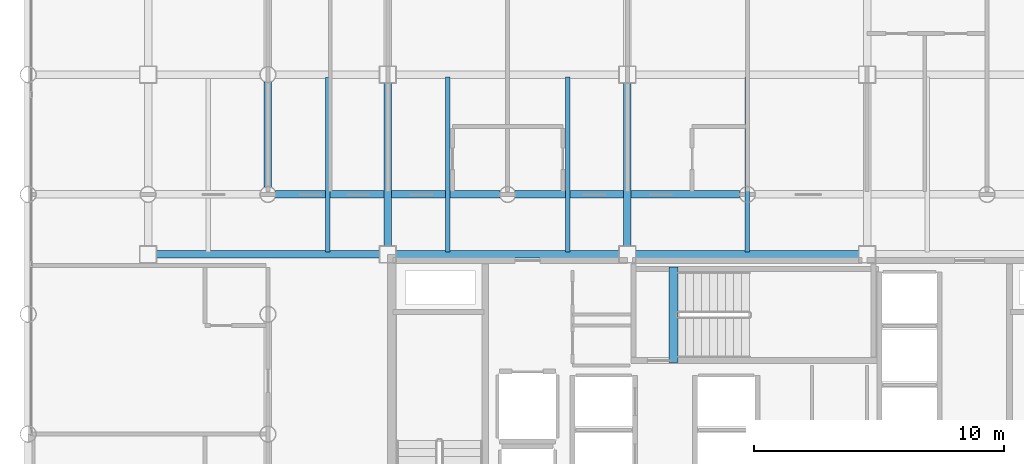
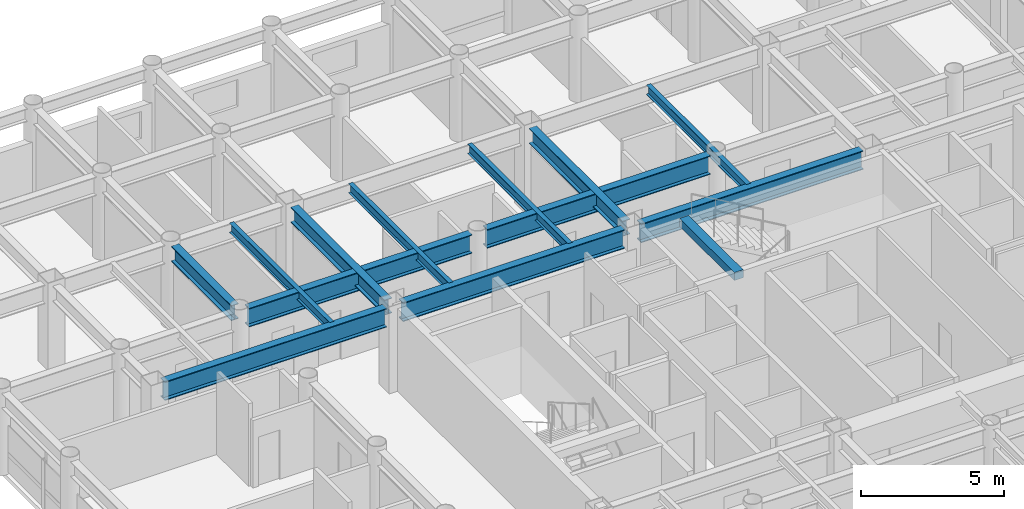
# One storey, part 5 of 22: 13 beams.
"""IFC4 building model written with IfcOpenShell, lengths in metres."""

from ifc_helpers import new_model, si_unit, direction, frame, origin, origin_2d, place, context, subcontext, project, spatial, rectangle, i_section, extrude, material, material_profile, profile_set, type_object, element, save


model = new_model("IFC4")

# Units and contexts
model_context = context("Model", 3, precision=1e-05, world=origin(), true_north=direction((0.0, 1.0)))
body_context = subcontext(model_context, "Body", "Model", "MODEL_VIEW")
ifc_project = project(units=[si_unit("LENGTHUNIT", "METRE"), si_unit("AREAUNIT", "SQUARE_METRE"), si_unit("VOLUMEUNIT", "CUBIC_METRE"), si_unit("PLANEANGLEUNIT", "RADIAN"), si_unit("MASSUNIT", "GRAM", prefix="KILO")], contexts=[model_context])

# Site, building, storey
site_placement = place(None, origin())
site = spatial("IfcSite", under=ifc_project, at=site_placement, CompositionType="ELEMENT")
building_placement = place(site_placement, origin())
building = spatial("IfcBuilding", under=site, at=building_placement, Name="Kallvorn Hotel Tower", CompositionType="ELEMENT")
storey_placement = place(building_placement, frame((0.0, 0.0, 106.300048828125)))
storey = spatial("IfcBuildingStorey", under=building, at=storey_placement, Name="L25", CompositionType="ELEMENT", Elevation=106.300048828125)

# Beams
ifc_material_1 = material(Name="Structural steel S355JR", Category="steel")
ifc_material_profile_1 = material_profile(ifc_material_1, i_section(OverallWidth=0.300048828125, OverallDepth=0.64990234375, WebThickness=0.01611328125, FlangeThickness=0.031005859375, at=origin_2d()), Name="HE 650 B")
ifc_profile_set_1 = profile_set([ifc_material_profile_1], Name="Structural steel S355JR")
beam_type_1 = type_object("IfcBeamType", Name="BM_HE650B", PredefinedType="BEAM", material=ifc_profile_set_1)
beam_1_placement = place(storey_placement, frame((-19.199951171875, 9.905029296875, 3.195068359375), z_axis=(0.0, 1.0, 0.0), x_axis=(-1.0, 0.0, 0.0)))
element("IfcBeam", 1, at=beam_1_placement, inside=storey, type_object=beam_type_1, Name="L26 Primary Y-Girder 94", PredefinedType="BEAM", context=body_context, shape_type="SweptSolid", body=[
    extrude(i_section(OverallWidth=0.300048828125, OverallDepth=0.64990234375, WebThickness=0.01611328125, FlangeThickness=0.031005859375, at=origin_2d()), origin(), (0.0, 0.0, 1.0), 4.18994140625),
])
for number, where, z_axis, x_axis, name in (
    (2, (-14.39990234375, 7.52490234375, 3.195068359375), (0.0, 1.0, 0.0), (-1.0, 0.0, 0.0), "L26 Primary Y-Girder 99"),
    (3, (-4.800048828125, 7.52490234375, 3.195068359375), (0.0, 1.0, 0.0), (-1.0, 0.0, 0.0), "L26 Primary Y-Girder 107"),
):
    element("IfcBeam", number, at=place(storey_placement, frame(where, z_axis=z_axis, x_axis=x_axis)), inside=storey, type_object=beam_type_1, Name=name, PredefinedType="BEAM", context=body_context, shape_type="SweptSolid", body=[
        extrude(i_section(OverallWidth=0.300048828125, OverallDepth=0.64990234375, WebThickness=0.01611328125, FlangeThickness=0.031005859375, at=origin_2d()), origin(), (0.0, 0.0, 1.0), 6.550048828125),
    ])
ifc_material_2 = material(Name="Structural steel S355JR", Category="steel")
ifc_material_profile_2 = material_profile(ifc_material_2, i_section(OverallWidth=0.300048828125, OverallDepth=0.800048828125, WebThickness=0.017578125, FlangeThickness=0.032958984375, at=origin_2d()), Name="HE 800 B")
ifc_profile_set_2 = profile_set([ifc_material_profile_2], Name="Structural steel S355JR")
beam_type_2 = type_object("IfcBeamType", Name="BM_HE800B", PredefinedType="BEAM", material=ifc_profile_set_2)
for number, where, z_axis, x_axis, name in (
    (4, (-23.675048828125, 7.199951171875, 3.119873046875), (1.0, 0.0, 0.0), (0.0, 1.0, 0.0), "L26 Primary X-Girder 36"),
    (5, (-14.074951171875, 7.199951171875, 3.119873046875), (1.0, 0.0, 0.0), (0.0, 1.0, 0.0), "L26 Primary X-Girder 37"),
):
    element("IfcBeam", number, at=place(storey_placement, frame(where, z_axis=z_axis, x_axis=x_axis)), inside=storey, type_object=beam_type_2, Name=name, PredefinedType="BEAM", context=body_context, shape_type="SweptSolid", body=[
        extrude(i_section(OverallWidth=0.300048828125, OverallDepth=0.800048828125, WebThickness=0.017578125, FlangeThickness=0.032958984375, at=origin_2d()), origin(), (0.0, 0.0, 1.0), 8.949951171875),
    ])
beam_2_placement = place(storey_placement, frame((-4.47509765625, 7.199951171875, 3.119873046875), z_axis=(1.0, 0.0, 0.0), x_axis=(0.0, 1.0, 0.0)))
element("IfcBeam", 6, at=beam_2_placement, inside=storey, type_object=beam_type_2, Name="L26 Primary X-Girder 38", PredefinedType="BEAM", context=body_context, shape_type="SweptSolid", body=[
    extrude(i_section(OverallWidth=0.300048828125, OverallDepth=0.800048828125, WebThickness=0.017578125, FlangeThickness=0.032958984375, at=origin_2d()), origin(), (0.0, 0.0, 1.0), 8.9501953125),
])
for number, where, z_axis, x_axis, name in (
    (7, (-18.89501953125, 9.60009765625, 3.119873046875), (1.0, 0.0, 0.0), (0.0, 1.0, 0.0), "L26 Primary X-Girder 43"),
    (8, (-9.294921875, 9.60009765625, 3.119873046875), (1.0, 0.0, 0.0), (0.0, 1.0, 0.0), "L26 Primary X-Girder 44"),
):
    element("IfcBeam", number, at=place(storey_placement, frame(where, z_axis=z_axis, x_axis=x_axis)), inside=storey, type_object=beam_type_2, Name=name, PredefinedType="BEAM", context=body_context, shape_type="SweptSolid", body=[
        extrude(i_section(OverallWidth=0.300048828125, OverallDepth=0.800048828125, WebThickness=0.017578125, FlangeThickness=0.032958984375, at=origin_2d()), origin(), (0.0, 0.0, 1.0), 8.989990234375),
    ])
ifc_material_3 = material(Name="Structural steel S355JR", Category="steel")
ifc_material_profile_3 = material_profile(ifc_material_3, i_section(OverallWidth=0.179931640625, OverallDepth=0.39990234375, WebThickness=0.008544921875, FlangeThickness=0.013427734375, at=origin_2d()), Name="IPE 400")
ifc_profile_set_3 = profile_set([ifc_material_profile_3], Name="Structural steel S355JR")
beam_type_3 = type_object("IfcBeamType", Name="BM_IPE400", PredefinedType="JOIST", material=ifc_profile_set_3)
for number, where, z_axis, x_axis, name in (
    (9, (-16.800048828125, 7.300048828125, 3.320068359375), (0.0, 1.0, 0.0), (-1.0, 0.0, 0.0), "L26 Secondary Composite Joist 195"),
    (10, (-12.0, 7.300048828125, 3.320068359375), (0.0, 1.0, 0.0), (-1.0, 0.0, 0.0), "L26 Secondary Composite Joist 197"),
    (11, (-7.199951171875, 7.300048828125, 3.320068359375), (0.0, 1.0, 0.0), (-1.0, 0.0, 0.0), "L26 Secondary Composite Joist 199"),
    (12, (0.0, 7.300048828125, 3.320068359375), (0.0, 1.0, 0.0), (-1.0, 0.0, 0.0), "L26 Secondary Composite Joist 201"),
):
    element("IfcBeam", number, at=place(storey_placement, frame(where, z_axis=z_axis, x_axis=x_axis)), inside=storey, type_object=beam_type_3, Name=name, PredefinedType="JOIST", context=body_context, shape_type="SweptSolid", body=[
        extrude(i_section(OverallWidth=0.179931640625, OverallDepth=0.39990234375, WebThickness=0.008544921875, FlangeThickness=0.013427734375, at=origin_2d()), origin(), (0.0, 0.0, 1.0), 7.0),
    ])
ifc_material_4 = material(Name="Concrete C50/60", Category="concrete")
ifc_material_profile_4 = material_profile(ifc_material_4, rectangle(XDim=0.360107421875, YDim=0.340087890625, at=origin_2d()), Name="RC 360x340")
ifc_profile_set_4 = profile_set([ifc_material_profile_4], Name="Concrete C50/60")
beam_type_4 = type_object("IfcBeamType", Name="BM_RC_400x360", PredefinedType="BEAM", material=ifc_profile_set_4)
beam_3_placement = place(storey_placement, frame((-2.9599609375, 2.8701171875, 3.349853515625), z_axis=(0.0, 1.0, 0.0), x_axis=(-1.0, 0.0, 0.0)))
element("IfcBeam", 13, at=beam_3_placement, inside=storey, type_object=beam_type_4, Name="L26 Stair ST3 Arrival Trimmer Beam", PredefinedType="BEAM", context=body_context, shape_type="SweptSolid", body=[
    extrude(rectangle(XDim=0.360107421875, YDim=0.340087890625, at=origin_2d()), origin(), (0.0, 0.0, 1.0), 3.81982421875),
])

save(model, "model.ifc")
